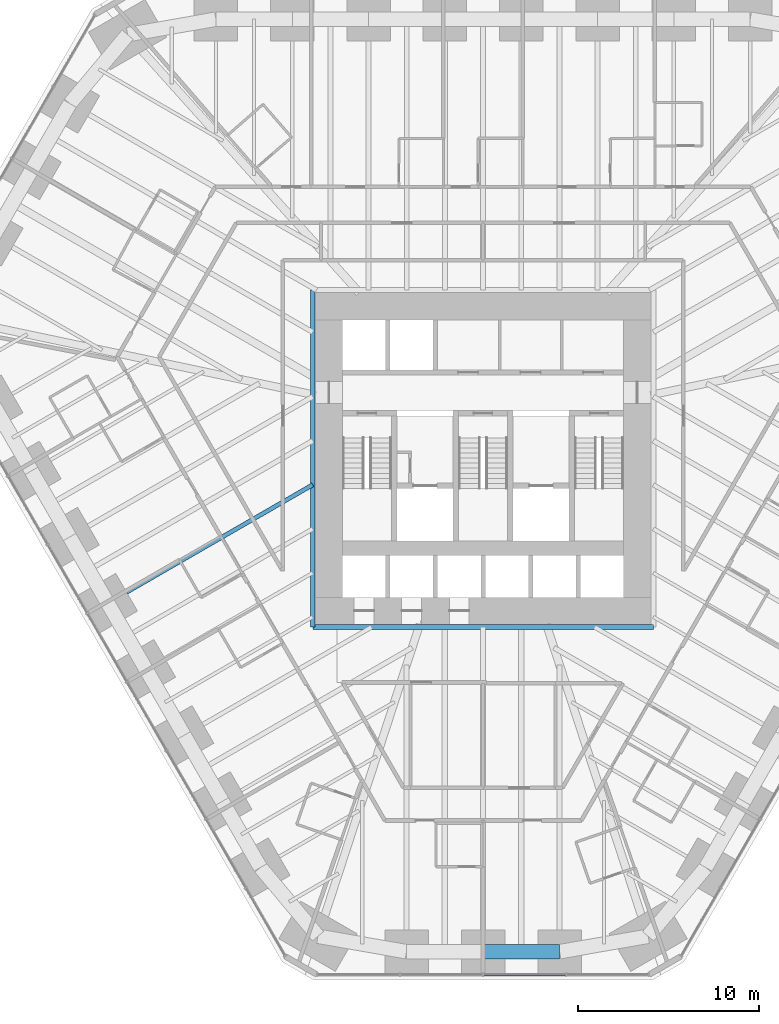
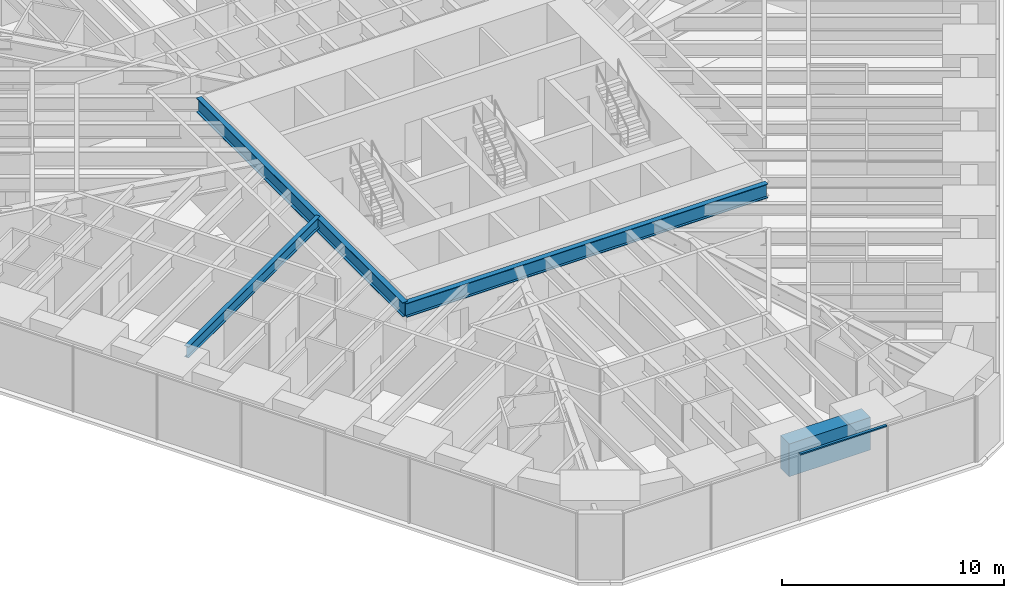
# One storey, part 4 of 17: 4 beams, 1 member, 1 element without a shape of its own.
"""IFC4 building model written with IfcOpenShell, lengths in metres."""

from ifc_helpers import new_model, si_unit, direction, frame, origin, origin_2d, place, context, subcontext, project, spatial, rectangle, i_section, extrude, material, material_profile, profile_set, type_object, element, aggregate, save


model = new_model("IFC4")

# Units and contexts
model_context = context("Model", 3, precision=1e-05, world=origin(), true_north=direction((0.0, 1.0)))
body_context = subcontext(model_context, "Body", "Model", "MODEL_VIEW")
ifc_project = project(units=[si_unit("LENGTHUNIT", "METRE"), si_unit("AREAUNIT", "SQUARE_METRE"), si_unit("VOLUMEUNIT", "CUBIC_METRE"), si_unit("PLANEANGLEUNIT", "RADIAN"), si_unit("MASSUNIT", "GRAM", prefix="KILO")], contexts=[model_context])

# Site, building, storey
site_placement = place(None, origin())
site = spatial("IfcSite", under=ifc_project, at=site_placement, CompositionType="ELEMENT")
building_placement = place(site_placement, origin())
building = spatial("IfcBuilding", under=site, at=building_placement, Name="Sandreach Pilgrim Tower", CompositionType="ELEMENT")
storey_placement = place(building_placement, frame((0.0, 0.0, 30.60009765625)))
storey = spatial("IfcBuildingStorey", under=building, at=storey_placement, Name="L06", CompositionType="ELEMENT", Elevation=30.60009765625)

# Curtain wall, member
ifc_material_1 = material(Name="Aluminium framed curtain wall", Category="aluminium")
curtain_wall_type = type_object("IfcCurtainWallType", Name="Hostel tower curtain wall", PredefinedType="NOTDEFINED", material=ifc_material_1)
curtain_wall_placement = place(storey_placement, origin())
curtain_wall = element("IfcCurtainWall", 1, at=curtain_wall_placement, inside=storey, type_object=curtain_wall_type, Name="CW-1 L06 S", PredefinedType="NOTDEFINED")
ifc_material_2 = material(Name="Aluminium extrusion", Category="aluminium")
ifc_material_profile_1 = material_profile(ifc_material_2, rectangle(XDim=0.139892578125, YDim=0.070068359375, at=origin_2d()), Name="CW-1T 140X70")
ifc_profile_set_1 = profile_set([ifc_material_profile_1], Name="Aluminium extrusion")
member_type = type_object("IfcMemberType", Name="CW-1 transom", PredefinedType="USERDEFINED", material=ifc_profile_set_1)
member_placement = place(storey_placement, frame((4.553466796875, -30.010986328125, 3.60498046875), z_axis=(-1.0, 0.0, 0.0), x_axis=(0.0, -1.0, 0.0)))
member = element("IfcMember", 2, at=member_placement, type_object=member_type, Name="CW-1 head transom 2", ObjectType="TRANSOM", PredefinedType="USERDEFINED", context=body_context, shape_type="SweptSolid", body=[
    extrude(rectangle(XDim=0.139892578125, YDim=0.070068359375, at=origin_2d()), origin(), (0.0, 0.0, 1.0), 4.52099609375),
])
aggregate(curtain_wall, [member])

# Beams
ifc_material_3 = material(Name="Steel ASTM A992 Grade 50", Category="steel")
ifc_material_profile_2 = material_profile(ifc_material_3, i_section(OverallWidth=0.2666015625, OverallDepth=0.77978515625, WebThickness=0.0166015625, FlangeThickness=0.030029296875, at=origin_2d()), Name="W30X148")
ifc_profile_set_2 = profile_set([ifc_material_profile_2], Name="Steel ASTM A992 Grade 50")
beam_type_1 = type_object("IfcBeamType", Name="Core edge beam W30X148", PredefinedType="BEAM", material=ifc_profile_set_2)
beam_1_placement = place(storey_placement, frame((9.393310546875, -10.84326171875, 3.25), z_axis=(-1.0, 0.0, 0.0), x_axis=(0.0, -1.0, 0.0)))
element("IfcBeam", 3, at=beam_1_placement, inside=storey, type_object=beam_type_1, Name="BM L06 CES", PredefinedType="BEAM", context=body_context, shape_type="SweptSolid", body=[
    extrude(i_section(OverallWidth=0.2666015625, OverallDepth=0.77978515625, WebThickness=0.0166015625, FlangeThickness=0.030029296875, at=origin_2d()), origin(), (0.0, 0.0, 1.0), 18.78662109375),
])
beam_2_placement = place(storey_placement, frame((-9.393310546875, -10.84326171875, 3.25), z_axis=(0.0, 1.0, 0.0), x_axis=(-1.0, 0.0, 0.0)))
element("IfcBeam", 4, at=beam_2_placement, inside=storey, type_object=beam_type_1, Name="BM L06 CEW", PredefinedType="BEAM", context=body_context, shape_type="SweptSolid", body=[
    extrude(i_section(OverallWidth=0.2666015625, OverallDepth=0.77978515625, WebThickness=0.0166015625, FlangeThickness=0.030029296875, at=origin_2d()), origin(), (0.0, 0.0, 1.0), 18.586669921875),
])
ifc_material_4 = material(Name="Steel ASTM A992 Grade 50", Category="steel")
ifc_material_profile_3 = material_profile(ifc_material_4, i_section(OverallWidth=0.23046875, OverallDepth=0.6171875, WebThickness=0.01318359375, FlangeThickness=0.022216796875, at=origin_2d()), Name="W24X94")
ifc_profile_set_3 = profile_set([ifc_material_profile_3], Name="Steel ASTM A992 Grade 50")
beam_type_2 = type_object("IfcBeamType", Name="Floor beam W24X94", PredefinedType="BEAM", material=ifc_profile_set_3)
beam_3_placement = place(storey_placement, frame((-19.662353515625, -8.92138671875, 3.331298828125), z_axis=(0.866029924088, 0.499992170523, 0.0), x_axis=(-0.499992170523, 0.866029924088, 0.0)))
element("IfcBeam", 5, at=beam_3_placement, inside=storey, type_object=beam_type_2, Name="BM L06 F31", PredefinedType="BEAM", context=body_context, shape_type="SweptSolid", body=[
    extrude(i_section(OverallWidth=0.23046875, OverallDepth=0.6171875, WebThickness=0.01318359375, FlangeThickness=0.022216796875, at=origin_2d()), origin(), (0.0, 0.0, 1.0), 11.857666015625),
])
ifc_material_5 = material(Name="Concrete 10000 psi", Category="concrete")
ifc_material_profile_4 = material_profile(ifc_material_5, rectangle(XDim=0.800048828125, YDim=1.800048828125, at=origin_2d()), Name="RC800X1800")
ifc_profile_set_4 = profile_set([ifc_material_profile_4], Name="Concrete 10000 psi")
beam_type_3 = type_object("IfcBeamType", Name="Spandrel beam RC800X1800", PredefinedType="SPANDREL", material=ifc_profile_set_4)
beam_4_placement = place(storey_placement, frame((4.222412109375, -28.7509765625, 2.739990234375), z_axis=(-1.0, 0.0, 0.0), x_axis=(0.0, -1.0, 0.0)))
element("IfcBeam", 6, at=beam_4_placement, inside=storey, type_object=beam_type_3, Name="BM L06 SP23", PredefinedType="SPANDREL", context=body_context, shape_type="SweptSolid", body=[
    extrude(rectangle(XDim=0.800048828125, YDim=1.800048828125, at=origin_2d()), origin(), (0.0, 0.0, 1.0), 4.222412109375),
])

save(model, "model.ifc")
